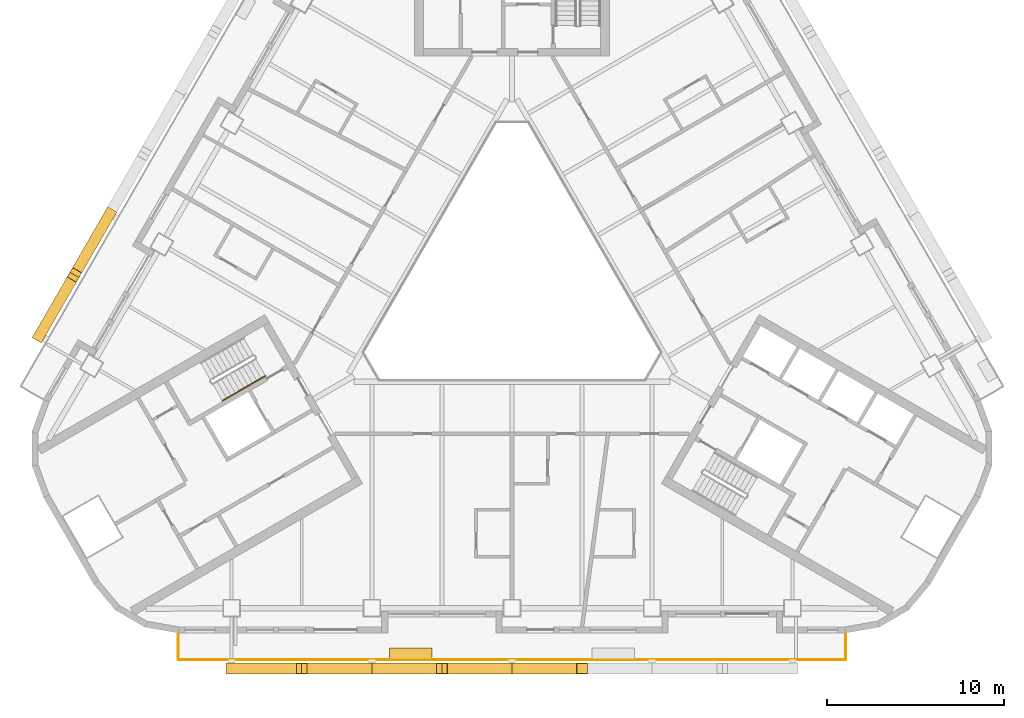
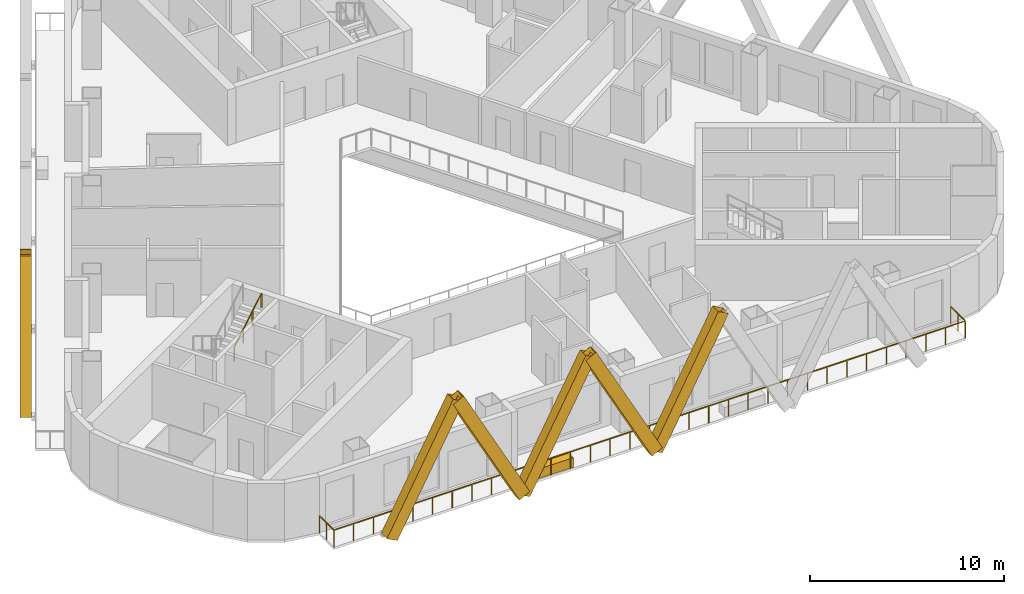
# One storey, part 8 of 13: 7 shading devices, 2 railings, 1 covering.
"""IFC4 building model written with IfcOpenShell, lengths in metres."""

from ifc_helpers import new_model, si_unit, direction, frame, origin, origin_2d, place, context, subcontext, project, spatial, rectangle, hollow_rectangle, circle, extrude, material, material_profile, profile_set, type_object, element, save


model = new_model("IFC4")

# Units and contexts
model_context = context("Model", 3, precision=1e-05, world=origin(), true_north=direction((0.0, 1.0)))
body_context = subcontext(model_context, "Body", "Model", "MODEL_VIEW")
ifc_project = project(units=[si_unit("LENGTHUNIT", "METRE"), si_unit("AREAUNIT", "SQUARE_METRE"), si_unit("VOLUMEUNIT", "CUBIC_METRE"), si_unit("PLANEANGLEUNIT", "RADIAN"), si_unit("MASSUNIT", "GRAM", prefix="KILO")], contexts=[model_context])

# Site, building, storey
site_placement = place(None, origin())
site = spatial("IfcSite", under=ifc_project, at=site_placement, CompositionType="ELEMENT")
building_placement = place(site_placement, origin())
building = spatial("IfcBuilding", under=site, at=building_placement, Name="Apuvela Tower Hotel", CompositionType="ELEMENT")
storey_placement = place(building_placement, frame((0.0, 0.0, 61.300048828125)))
storey = spatial("IfcBuildingStorey", under=building, at=storey_placement, Name="L12", CompositionType="ELEMENT", Elevation=61.300048828125)

# Railing
ifc_material_1 = material(Name="Stainless steel 316 handrail", Category="steel")
railing_type_1 = type_object("IfcRailingType", Name="COR-HANDRAIL-900", PredefinedType="HANDRAIL", material=ifc_material_1)
railing_1_placement = place(storey_placement, frame((-16.31884765625, -6.534912109375, 2.01806640625)))
element("IfcRailing", 1, at=railing_1_placement, inside=storey, type_object=railing_type_1, Name="L12 ST2 stair handrail 2", PredefinedType="HANDRAIL", context=body_context, shape_type="SweptSolid", body=[
    extrude(circle(Radius=0.02392578125, at=origin_2d()), frame((0.0, 0.0, 0.8759765625), z_axis=(0.742390482028, 0.42860119049, 0.514934356695), x_axis=(-0.49998411664, 0.866034573852, 0.0)), (0.0, 0.0, 1.0), 3.26611328125),
    extrude(rectangle(XDim=0.0419921875, YDim=0.0419921875, at=origin_2d()), origin(), (0.0, 0.0, 1.0), 0.851806640625),
    extrude(rectangle(XDim=0.0419921875, YDim=0.0419921875, at=origin_2d()), frame((0.808349609375, 0.466552734375, 0.560546875)), (0.0, 0.0, 1.0), 0.851806640625),
    extrude(rectangle(XDim=0.0419921875, YDim=0.0419921875, at=origin_2d()), frame((1.616455078125, 0.933349609375, 1.121337890625)), (0.0, 0.0, 1.0), 0.851806640625),
    extrude(rectangle(XDim=0.0419921875, YDim=0.0419921875, at=origin_2d()), frame((2.4248046875, 1.39990234375, 1.681884765625)), (0.0, 0.0, 1.0), 0.851806640625),
])

# Shading devices
ifc_material_2 = material(Name="Aluminium 6063-T6, black anodised", Category="aluminium")
ifc_material_profile = material_profile(ifc_material_2, hollow_rectangle(XDim=0.60009765625, YDim=0.699951171875, WallThickness=0.011962890625, at=origin_2d()), Name="AL BOX 700x600x12")
ifc_profile_set = profile_set([ifc_material_profile], Name="Aluminium 6063-T6, black anodised")
shading_device_type = type_object("IfcShadingDeviceType", Name="ENV-FIN-700x600", PredefinedType="USERDEFINED", material=ifc_profile_set)
for number, where, z_axis, x_axis, name in (
    (2, (-15.800048828125, -21.6298828125, -0.10009765625), (0.470885802113, 0.0, 0.882194174413), (0.0, 1.0, 0.0), "Lattice fin S17"),
    (3, (-7.89990234375, -21.6298828125, -0.10009765625), (-0.470908452903, 0.0, 0.882182083804), (0.0, -1.0, 0.0), "Lattice fin S18"),
    (4, (-7.89990234375, -21.6298828125, -0.10009765625), (0.470885802113, 0.0, 0.882194174413), (0.0, 1.0, 0.0), "Lattice fin S19"),
    (5, (0.0, -21.6298828125, -0.10009765625), (-0.470885802113, 0.0, 0.882194174413), (0.0, -1.0, 0.0), "Lattice fin S20"),
    (6, (0.0, -21.6298828125, -0.10009765625), (0.470885802113, 0.0, 0.882194174413), (0.0, 1.0, 0.0), "Lattice fin S21"),
    (7, (-22.68212890625, 3.973388671875, -0.10009765625), (-0.235427548578, -0.407814415956, 0.882191176281), (0.866047669374, -0.499961432884, 0.0), "Lattice fin NW119"),
    (8, (-26.632080078125, -2.8681640625, -0.10009765625), (0.235457834389, 0.407787356937, 0.88219560175), (-0.866005453737, 0.500034552904, 0.0), "Lattice fin NW120"),
):
    element("IfcShadingDevice", number, at=place(storey_placement, frame(where, z_axis=z_axis, x_axis=x_axis)), inside=storey, type_object=shading_device_type, Name=name, ObjectType="FIN", PredefinedType="USERDEFINED", context=body_context, shape_type="SweptSolid", body=[
        extrude(hollow_rectangle(XDim=0.60009765625, YDim=0.699951171875, WallThickness=0.011962890625, at=origin_2d()), origin(), (0.0, 0.0, 1.0), 8.388427734375),
    ])

# Railing
ifc_material_3 = material(Name="Stainless steel 316 rail with laminated glass infill", Category="steel")
railing_type_2 = type_object("IfcRailingType", Name="ENV-GUARD-1100", PredefinedType="GUARDRAIL", material=ifc_material_3)
railing_2_placement = place(storey_placement, frame((-18.81591796875, -19.6298828125, 0.0)))
element("IfcRailing", 9, at=railing_2_placement, inside=storey, type_object=railing_type_2, Name="Balcony guard S L12", PredefinedType="GUARDRAIL", context=body_context, shape_type="SweptSolid", body=[
    extrude(rectangle(XDim=0.050048828125, YDim=0.050048828125, at=origin_2d()), frame((0.0, 0.0, 1.0751953125), z_axis=(0.0, -1.0, 0.0), x_axis=(1.0, 0.0, 0.0)), (0.0, 0.0, 1.0), 1.5),
    extrude(rectangle(XDim=0.050048828125, YDim=0.050048828125, at=origin_2d()), frame((0.0, -1.5, 1.0751953125), z_axis=(1.0, 0.0, 0.0), x_axis=(0.0, 1.0, 0.0)), (0.0, 0.0, 1.0), 37.6318359375),
    extrude(rectangle(XDim=0.050048828125, YDim=0.050048828125, at=origin_2d()), frame((37.6318359375, -1.5, 1.0751953125), z_axis=(0.0, 1.0, 0.0), x_axis=(-1.0, 0.0, 0.0)), (0.0, 0.0, 1.0), 1.5),
    extrude(rectangle(XDim=0.0400390625, YDim=0.0400390625, at=origin_2d()), origin(), (0.0, 0.0, 1.0), 1.050048828125),
    extrude(rectangle(XDim=0.0400390625, YDim=0.0400390625, at=origin_2d()), frame((0.0, -0.75, 0.0)), (0.0, 0.0, 1.0), 1.050048828125),
    extrude(rectangle(XDim=0.0400390625, YDim=0.0400390625, at=origin_2d()), frame((0.0, -1.5, 0.0)), (0.0, 0.0, 1.0), 1.050048828125),
    extrude(rectangle(XDim=0.0400390625, YDim=0.0400390625, at=origin_2d()), frame((1.176025390625, -1.5, 0.0)), (0.0, 0.0, 1.0), 1.050048828125),
    extrude(rectangle(XDim=0.0400390625, YDim=0.0400390625, at=origin_2d()), frame((2.35205078125, -1.5, 0.0)), (0.0, 0.0, 1.0), 1.050048828125),
    extrude(rectangle(XDim=0.0400390625, YDim=0.0400390625, at=origin_2d()), frame((3.528076171875, -1.5, 0.0)), (0.0, 0.0, 1.0), 1.050048828125),
    extrude(rectangle(XDim=0.0400390625, YDim=0.0400390625, at=origin_2d()), frame((4.7041015625, -1.5, 0.0)), (0.0, 0.0, 1.0), 1.050048828125),
    extrude(rectangle(XDim=0.0400390625, YDim=0.0400390625, at=origin_2d()), frame((5.8798828125, -1.5, 0.0)), (0.0, 0.0, 1.0), 1.050048828125),
    extrude(rectangle(XDim=0.0400390625, YDim=0.0400390625, at=origin_2d()), frame((7.055908203125, -1.5, 0.0)), (0.0, 0.0, 1.0), 1.050048828125),
    extrude(rectangle(XDim=0.0400390625, YDim=0.0400390625, at=origin_2d()), frame((8.23193359375, -1.5, 0.0)), (0.0, 0.0, 1.0), 1.050048828125),
    extrude(rectangle(XDim=0.0400390625, YDim=0.0400390625, at=origin_2d()), frame((9.407958984375, -1.5, 0.0)), (0.0, 0.0, 1.0), 1.050048828125),
    extrude(rectangle(XDim=0.0400390625, YDim=0.0400390625, at=origin_2d()), frame((10.583984375, -1.5, 0.0)), (0.0, 0.0, 1.0), 1.050048828125),
    extrude(rectangle(XDim=0.0400390625, YDim=0.0400390625, at=origin_2d()), frame((11.760009765625, -1.5, 0.0)), (0.0, 0.0, 1.0), 1.050048828125),
    extrude(rectangle(XDim=0.0400390625, YDim=0.0400390625, at=origin_2d()), frame((12.93603515625, -1.5, 0.0)), (0.0, 0.0, 1.0), 1.050048828125),
    extrude(rectangle(XDim=0.0400390625, YDim=0.0400390625, at=origin_2d()), frame((14.11181640625, -1.5, 0.0)), (0.0, 0.0, 1.0), 1.050048828125),
    extrude(rectangle(XDim=0.0400390625, YDim=0.0400390625, at=origin_2d()), frame((15.287841796875, -1.5, 0.0)), (0.0, 0.0, 1.0), 1.050048828125),
    extrude(rectangle(XDim=0.0400390625, YDim=0.0400390625, at=origin_2d()), frame((16.4638671875, -1.5, 0.0)), (0.0, 0.0, 1.0), 1.050048828125),
    extrude(rectangle(XDim=0.0400390625, YDim=0.0400390625, at=origin_2d()), frame((17.639892578125, -1.5, 0.0)), (0.0, 0.0, 1.0), 1.050048828125),
    extrude(rectangle(XDim=0.0400390625, YDim=0.0400390625, at=origin_2d()), frame((18.81591796875, -1.5, 0.0)), (0.0, 0.0, 1.0), 1.050048828125),
    extrude(rectangle(XDim=0.0400390625, YDim=0.0400390625, at=origin_2d()), frame((19.991943359375, -1.5, 0.0)), (0.0, 0.0, 1.0), 1.050048828125),
    extrude(rectangle(XDim=0.0400390625, YDim=0.0400390625, at=origin_2d()), frame((21.16796875, -1.5, 0.0)), (0.0, 0.0, 1.0), 1.050048828125),
    extrude(rectangle(XDim=0.0400390625, YDim=0.0400390625, at=origin_2d()), frame((22.343994140625, -1.5, 0.0)), (0.0, 0.0, 1.0), 1.050048828125),
    extrude(rectangle(XDim=0.0400390625, YDim=0.0400390625, at=origin_2d()), frame((23.52001953125, -1.5, 0.0)), (0.0, 0.0, 1.0), 1.050048828125),
    extrude(rectangle(XDim=0.0400390625, YDim=0.0400390625, at=origin_2d()), frame((24.69580078125, -1.5, 0.0)), (0.0, 0.0, 1.0), 1.050048828125),
    extrude(rectangle(XDim=0.0400390625, YDim=0.0400390625, at=origin_2d()), frame((25.871826171875, -1.5, 0.0)), (0.0, 0.0, 1.0), 1.050048828125),
    extrude(rectangle(XDim=0.0400390625, YDim=0.0400390625, at=origin_2d()), frame((27.0478515625, -1.5, 0.0)), (0.0, 0.0, 1.0), 1.050048828125),
    extrude(rectangle(XDim=0.0400390625, YDim=0.0400390625, at=origin_2d()), frame((28.223876953125, -1.5, 0.0)), (0.0, 0.0, 1.0), 1.050048828125),
    extrude(rectangle(XDim=0.0400390625, YDim=0.0400390625, at=origin_2d()), frame((29.39990234375, -1.5, 0.0)), (0.0, 0.0, 1.0), 1.050048828125),
    extrude(rectangle(XDim=0.0400390625, YDim=0.0400390625, at=origin_2d()), frame((30.575927734375, -1.5, 0.0)), (0.0, 0.0, 1.0), 1.050048828125),
    extrude(rectangle(XDim=0.0400390625, YDim=0.0400390625, at=origin_2d()), frame((31.751953125, -1.5, 0.0)), (0.0, 0.0, 1.0), 1.050048828125),
    extrude(rectangle(XDim=0.0400390625, YDim=0.0400390625, at=origin_2d()), frame((32.927734375, -1.5, 0.0)), (0.0, 0.0, 1.0), 1.050048828125),
    extrude(rectangle(XDim=0.0400390625, YDim=0.0400390625, at=origin_2d()), frame((34.103759765625, -1.5, 0.0)), (0.0, 0.0, 1.0), 1.050048828125),
    extrude(rectangle(XDim=0.0400390625, YDim=0.0400390625, at=origin_2d()), frame((35.27978515625, -1.5, 0.0)), (0.0, 0.0, 1.0), 1.050048828125),
    extrude(rectangle(XDim=0.0400390625, YDim=0.0400390625, at=origin_2d()), frame((36.455810546875, -1.5, 0.0)), (0.0, 0.0, 1.0), 1.050048828125),
    extrude(rectangle(XDim=0.0400390625, YDim=0.0400390625, at=origin_2d()), frame((37.6318359375, -1.5, 0.0)), (0.0, 0.0, 1.0), 1.050048828125),
    extrude(rectangle(XDim=0.0400390625, YDim=0.0400390625, at=origin_2d()), frame((37.6318359375, -0.75, 0.0)), (0.0, 0.0, 1.0), 1.050048828125),
    extrude(rectangle(XDim=0.0400390625, YDim=0.0400390625, at=origin_2d()), frame((37.6318359375, 0.0, 0.0)), (0.0, 0.0, 1.0), 1.050048828125),
])

# Covering
ifc_material_4 = material(Name="Planting substrate and soil, planted")
covering_type = type_object("IfcCoveringType", Name="ENV-PLANTER-2400x600", PredefinedType="USERDEFINED", material=ifc_material_4)
covering_placement = place(storey_placement, frame((-5.69970703125, -20.780029296875, 0.0), z_axis=(0.0, 0.0, 1.0), x_axis=(1.0, 0.0, 0.0)))
element("IfcCovering", 10, at=covering_placement, inside=storey, type_object=covering_type, Name="Planter S1", ObjectType="PLANTER", PredefinedType="USERDEFINED", context=body_context, shape_type="SweptSolid", body=[
    extrude(rectangle(XDim=2.39990234375, YDim=0.60009765625, at=origin_2d()), origin(), (0.0, 0.0, 1.0), 0.60009765625),
])

save(model, "model.ifc")
